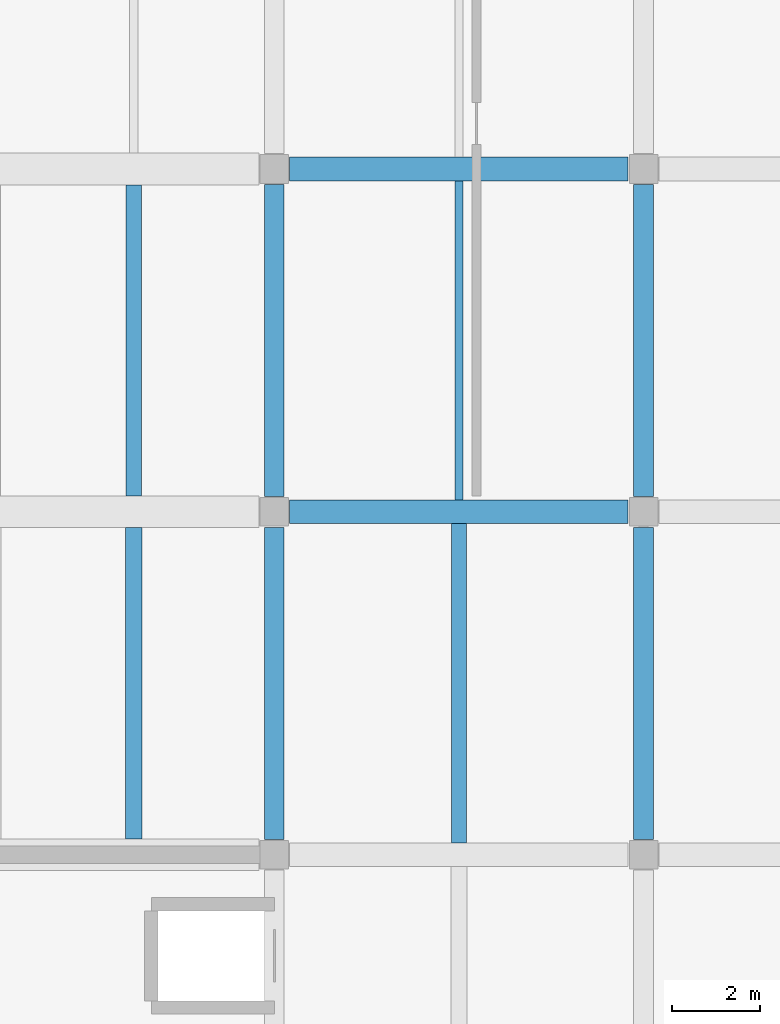
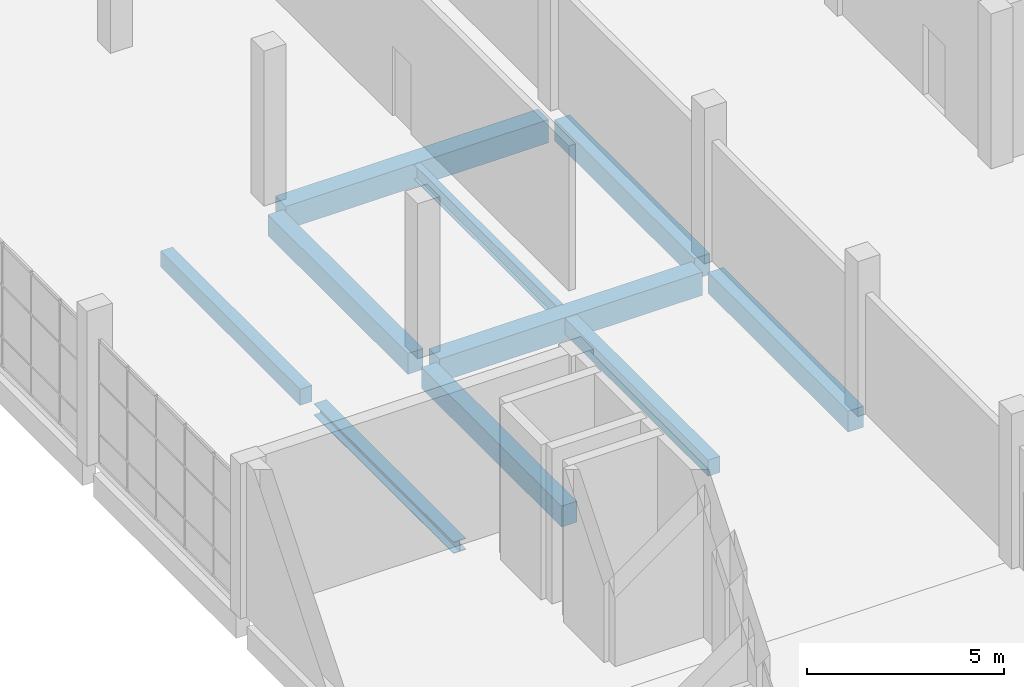
# One storey, part 40 of 79: 10 beams.
"""IFC4 building model written with IfcOpenShell, lengths in metres."""

from ifc_helpers import new_model, si_unit, direction, frame, origin, origin_2d, place, context, subcontext, project, spatial, rectangle, i_section, extrude, material, material_profile, profile_set, type_object, element, save


model = new_model("IFC4")

# Units and contexts
model_context = context("Model", 3, precision=1e-05, world=origin(), true_north=direction((0.0, 1.0)))
body_context = subcontext(model_context, "Body", "Model", "MODEL_VIEW")
ifc_project = project(units=[si_unit("LENGTHUNIT", "METRE"), si_unit("AREAUNIT", "SQUARE_METRE"), si_unit("VOLUMEUNIT", "CUBIC_METRE"), si_unit("PLANEANGLEUNIT", "RADIAN"), si_unit("MASSUNIT", "GRAM", prefix="KILO")], contexts=[model_context])

# Site, building, storey
site_placement = place(None, origin())
site = spatial("IfcSite", under=ifc_project, at=site_placement, CompositionType="ELEMENT")
building_placement = place(site_placement, origin())
building = spatial("IfcBuilding", under=site, at=building_placement, Name="Pellamere Symphony Hall", CompositionType="ELEMENT")
storey_placement = place(building_placement, frame((0.0, 0.0, 10.199951171875)))
storey = spatial("IfcBuildingStorey", under=building, at=storey_placement, Name="L02", CompositionType="ELEMENT", Elevation=10.199951171875)

# Beams
ifc_material_1 = material(Name="Concrete 40 MPa", Category="concrete")
ifc_material_profile_1 = material_profile(ifc_material_1, rectangle(XDim=0.449951171875, YDim=0.64990234375, at=origin_2d()), Name="RC 450x650")
ifc_profile_set_1 = profile_set([ifc_material_profile_1], Name="Concrete 40 MPa")
beam_type_1 = type_object("IfcBeamType", Name="RC CB-08 450x650", PredefinedType="BEAM", material=ifc_profile_set_1)
for number, where, z_axis, x_axis, name in (
    (1, (147.60009765625, 62.14990234375, -0.60498046875), (0.0, 1.0, 0.0), (-1.0, 0.0, 0.0), "Girder CB-08-Y1360 (L02)"),
    (2, (147.60009765625, 69.949951171875, -0.60498046875), (0.0, 1.0, 0.0), (-1.0, 0.0, 0.0), "Girder CB-08-Y1361 (L02)"),
    (3, (156.0, 62.14990234375, -0.60498046875), (0.0, 1.0, 0.0), (-1.0, 0.0, 0.0), "Girder CB-08-Y1371 (L02)"),
    (4, (156.0, 69.949951171875, -0.60498046875), (0.0, 1.0, 0.0), (-1.0, 0.0, 0.0), "Girder CB-08-Y1372 (L02)"),
):
    element("IfcBeam", number, at=place(storey_placement, frame(where, z_axis=z_axis, x_axis=x_axis)), inside=storey, type_object=beam_type_1, Name=name, PredefinedType="BEAM", context=body_context, shape_type="SweptSolid", body=[
        extrude(rectangle(XDim=0.449951171875, YDim=0.64990234375, at=origin_2d()), origin(), (0.0, 0.0, 1.0), 7.10009765625),
    ])
ifc_material_2 = material(Name="Concrete 35 MPa", Category="concrete")
ifc_material_profile_2 = material_profile(ifc_material_2, rectangle(XDim=0.35009765625, YDim=0.5, at=origin_2d()), Name="RC 350x500")
ifc_profile_set_2 = profile_set([ifc_material_profile_2], Name="Concrete 35 MPa")
beam_type_2 = type_object("IfcBeamType", Name="RC CB-11 350x500", PredefinedType="BEAM", material=ifc_profile_set_2)
beam_1_placement = place(storey_placement, frame((144.39990234375, 69.9599609375, -0.544921875), z_axis=(0.0, 1.0, 0.0), x_axis=(-1.0, 0.0, 0.0)))
element("IfcBeam", 5, at=beam_1_placement, inside=storey, type_object=beam_type_2, Name="Secondary Floor Beam CB-11-B1709 (L02)", PredefinedType="BEAM", context=body_context, shape_type="SweptSolid", body=[
    extrude(rectangle(XDim=0.35009765625, YDim=0.5, at=origin_2d()), origin(), (0.0, 0.0, 1.0), 7.080078125),
])
beam_2_placement = place(storey_placement, frame((151.800048828125, 62.070068359375, -0.544921875), z_axis=(0.0, 1.0, 0.0), x_axis=(-1.0, 0.0, 0.0)))
element("IfcBeam", 6, at=beam_2_placement, inside=storey, type_object=beam_type_2, Name="Secondary Floor Beam CB-11-M1808 (L02)", PredefinedType="BEAM", context=body_context, shape_type="SweptSolid", body=[
    extrude(rectangle(XDim=0.35009765625, YDim=0.5, at=origin_2d()), origin(), (0.0, 0.0, 1.0), 7.260009765625),
])
ifc_material_profile_3 = material_profile(ifc_material_1, rectangle(XDim=0.5400390625, YDim=0.719970703125, at=origin_2d()), Name="RC 540x720")
ifc_profile_set_3 = profile_set([ifc_material_profile_3], Name="Concrete 40 MPa")
beam_type_3 = type_object("IfcBeamType", Name="RC CB-24 540x720", PredefinedType="BEAM", material=ifc_profile_set_3)
for number, where, z_axis, x_axis, name in (
    (7, (147.949951171875, 69.60009765625, -0.639892578125), (1.0, 0.0, 0.0), (0.0, 1.0, 0.0), "Girder CB-24-X1151 (L02)"),
    (8, (147.949951171875, 77.39990234375, -0.639892578125), (1.0, 0.0, 0.0), (0.0, 1.0, 0.0), "Girder CB-24-X1164 (L02)"),
):
    element("IfcBeam", number, at=place(storey_placement, frame(where, z_axis=z_axis, x_axis=x_axis)), inside=storey, type_object=beam_type_3, Name=name, PredefinedType="BEAM", context=body_context, shape_type="SweptSolid", body=[
        extrude(rectangle(XDim=0.5400390625, YDim=0.719970703125, at=origin_2d()), origin(), (0.0, 0.0, 1.0), 7.699951171875),
    ])
ifc_material_3 = material(Name="Steel CSA G40.21 350W", Category="steel")
ifc_material_profile_4 = material_profile(ifc_material_3, i_section(OverallWidth=0.368896484375, OverallDepth=0.35595703125, WebThickness=0.01123046875, FlangeThickness=0.01806640625, at=origin_2d()), Name="W360X134")
ifc_profile_set_4 = profile_set([ifc_material_profile_4], Name="Steel CSA G40.21 350W")
beam_type_4 = type_object("IfcBeamType", Name="Steel Beam SB-28 W360X134", PredefinedType="BEAM", material=ifc_profile_set_4)
beam_3_placement = place(storey_placement, frame((144.39990234375, 62.159912109375, -0.472900390625), z_axis=(0.0, 1.0, 0.0), x_axis=(-1.0, 0.0, 0.0)))
element("IfcBeam", 9, at=beam_3_placement, inside=storey, type_object=beam_type_4, Name="Secondary Floor Beam SB-28-B1708 (L02)", PredefinedType="BEAM", context=body_context, shape_type="SweptSolid", body=[
    extrude(i_section(OverallWidth=0.368896484375, OverallDepth=0.35595703125, WebThickness=0.01123046875, FlangeThickness=0.01806640625, at=origin_2d()), origin(), (0.0, 0.0, 1.0), 7.080078125),
])
ifc_material_profile_5 = material_profile(ifc_material_3, i_section(OverallWidth=0.19091796875, OverallDepth=0.4599609375, WebThickness=0.010009765625, FlangeThickness=0.014404296875, at=origin_2d()), Name="W460X82")
ifc_profile_set_5 = profile_set([ifc_material_profile_5], Name="Steel CSA G40.21 350W")
beam_type_5 = type_object("IfcBeamType", Name="Steel Joist SB-17 W460X82", PredefinedType="JOIST", material=ifc_profile_set_5)
beam_4_placement = place(storey_placement, frame((151.800048828125, 69.8701171875, -0.52490234375), z_axis=(0.0, 1.0, 0.0), x_axis=(-1.0, 0.0, 0.0)))
element("IfcBeam", 10, at=beam_4_placement, inside=storey, type_object=beam_type_5, Name="Secondary Floor Beam SB-17-M1809 (L02)", PredefinedType="JOIST", context=body_context, shape_type="SweptSolid", body=[
    extrude(i_section(OverallWidth=0.19091796875, OverallDepth=0.4599609375, WebThickness=0.010009765625, FlangeThickness=0.014404296875, at=origin_2d()), origin(), (0.0, 0.0, 1.0), 7.259765625),
])

save(model, "model.ifc")
